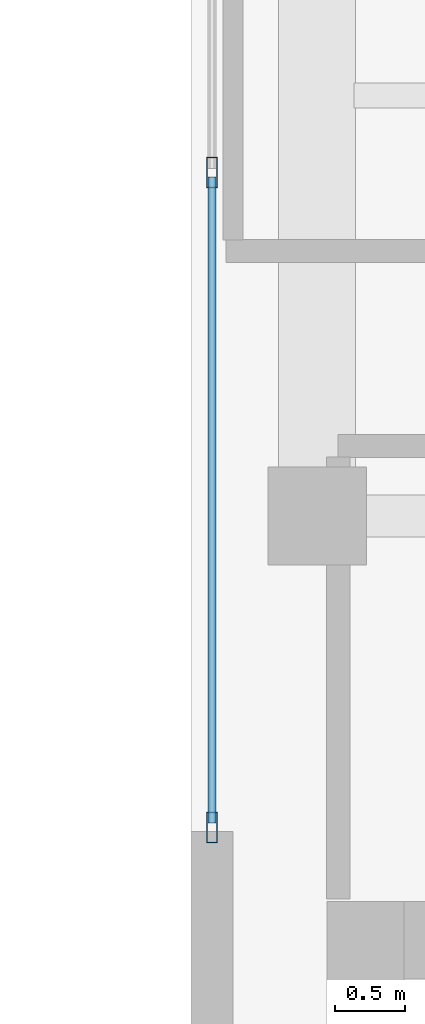
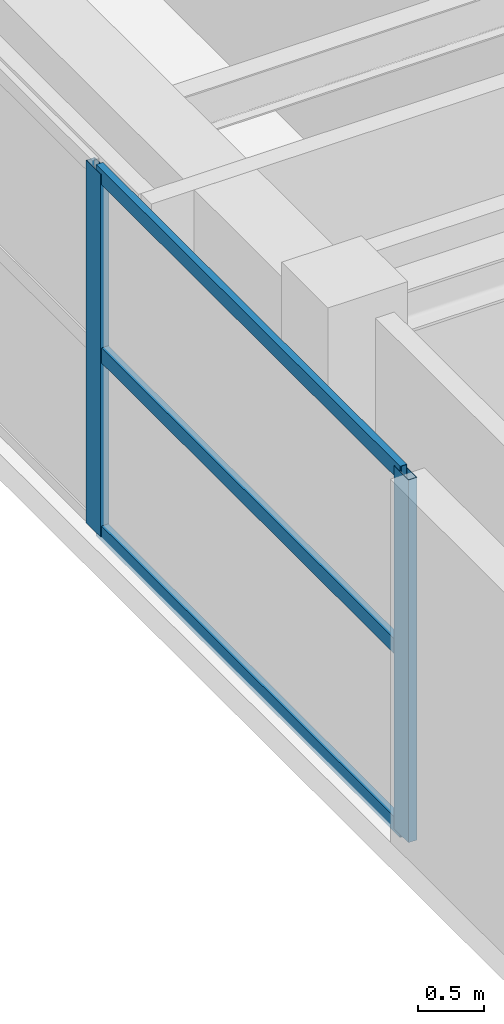
# One storey, part 10 of 22: 5 members, 1 element without a shape of its own.
"""IFC4 building model written with IfcOpenShell, lengths in metres."""

from ifc_helpers import new_model, si_unit, direction, frame, origin, origin_2d, place, context, subcontext, project, spatial, hollow_rectangle, extrude, source, transform, mapped, material, layer, layer_set, material_profile, profile_set, type_object, element, aggregate, save


model = new_model("IFC4")

# Units and contexts
model_context = context("Model", 3, precision=1e-05, world=origin(), true_north=direction((0.0, 1.0)))
body_context = subcontext(model_context, "Body", "Model", "MODEL_VIEW")
ifc_project = project(units=[si_unit("LENGTHUNIT", "METRE"), si_unit("AREAUNIT", "SQUARE_METRE"), si_unit("VOLUMEUNIT", "CUBIC_METRE"), si_unit("PLANEANGLEUNIT", "RADIAN"), si_unit("MASSUNIT", "GRAM", prefix="KILO")], contexts=[model_context])

# Site, building, storey
site_placement = place(None, origin())
site = spatial("IfcSite", under=ifc_project, at=site_placement, CompositionType="ELEMENT")
building_placement = place(site_placement, origin())
building = spatial("IfcBuilding", under=site, at=building_placement, Name="Khoralis Quay Care Tower", CompositionType="ELEMENT")
storey_placement = place(building_placement, frame((0.0, 0.0, 256.5)))
storey = spatial("IfcBuildingStorey", under=building, at=storey_placement, Name="L67", CompositionType="ELEMENT", Elevation=256.5)

# Curtain wall, members
ifc_material = material(Name="Pale anodised aluminium", Category="aluminium")
ifc_layer = layer(ifc_material, 0.18994140625)
ifc_layer_set = layer_set([ifc_layer], Name="Pale anodised aluminium")
curtain_wall_type = type_object("IfcCurtainWallType", Name="CW-SYS-PORTAL", PredefinedType="NOTDEFINED", material=ifc_layer_set)
curtain_wall_placement = place(storey_placement, origin())
curtain_wall = element("IfcCurtainWall", 1, at=curtain_wall_placement, inside=storey, type_object=curtain_wall_type, Name="L67 Unitised Curtain Wall CW-VP-L67-P2-N", PredefinedType="NOTDEFINED")
ifc_material_profile_1 = material_profile(ifc_material, hollow_rectangle(XDim=0.06005859375, YDim=0.139892578125, WallThickness=0.00390625, at=origin_2d()), Name="Pale anodised aluminium")
ifc_profile_set_1 = profile_set([ifc_material_profile_1], Name="Pale anodised aluminium")
member_type_1 = type_object("IfcMemberType", Name="CW-TRN-140", PredefinedType="USERDEFINED", material=ifc_profile_set_1)
shared_shape_1 = source(origin(), body_context, "Body", "SweptSolid", [
    extrude(hollow_rectangle(XDim=0.06005859375, YDim=0.139892578125, WallThickness=0.00390625, at=origin_2d()), origin(), (0.0, 0.0, 1.0), 4.60986328125),
])
member_1_placement = place(storey_placement, frame((30.14990234375, 27.81005859375, 0.030029296875), z_axis=(0.0, 1.0, 0.0), x_axis=(-1.0, 0.0, 0.0)))
member_1 = element("IfcMember", 2, at=member_1_placement, type_object=member_type_1, Name="CW4 transom 1.1", ObjectType="TRANSOM", PredefinedType="USERDEFINED", context=body_context, shape_type="MappedRepresentation", body=[
    mapped(shared_shape_1, transform((0.0, 0.0, 0.0), scale=1.0)),
])
member_2_placement = place(storey_placement, frame((30.14990234375, 27.81005859375, 1.679931640625), z_axis=(0.0, 1.0, 0.0), x_axis=(-1.0, 0.0, 0.0)))
member_2 = element("IfcMember", 3, at=member_2_placement, type_object=member_type_1, Name="CW4 transom 1.2", ObjectType="TRANSOM", PredefinedType="USERDEFINED", context=body_context, shape_type="MappedRepresentation", body=[
    mapped(shared_shape_1, transform((0.0, 0.0, 0.0), scale=1.0)),
])
member_3_placement = place(storey_placement, frame((30.14990234375, 27.81005859375, 3.330078125), z_axis=(0.0, 1.0, 0.0), x_axis=(-1.0, 0.0, 0.0)))
member_3 = element("IfcMember", 4, at=member_3_placement, type_object=member_type_1, Name="CW4 transom 1.3", ObjectType="TRANSOM", PredefinedType="USERDEFINED", context=body_context, shape_type="MappedRepresentation", body=[
    mapped(shared_shape_1, transform((0.0, 0.0, 0.0), scale=1.0)),
])
ifc_material_profile_2 = material_profile(ifc_material, hollow_rectangle(XDim=0.074951171875, YDim=0.219970703125, WallThickness=0.00390625, at=origin_2d()), Name="Pale anodised aluminium")
ifc_profile_set_2 = profile_set([ifc_material_profile_2], Name="Pale anodised aluminium")
member_type_2 = type_object("IfcMemberType", Name="CW-MUL-220", PredefinedType="MULLION", material=ifc_profile_set_2)
shared_shape_2 = source(origin(), body_context, "Body", "SweptSolid", [
    extrude(hollow_rectangle(XDim=0.074951171875, YDim=0.219970703125, WallThickness=0.00390625, at=origin_2d()), origin(), (0.0, 0.0, 1.0), 3.360107421875),
])
member_4_placement = place(storey_placement, frame((30.14990234375, 27.780029296875, 0.0), z_axis=(0.0, 0.0, 1.0), x_axis=(-1.0, 0.0, 0.0)))
member_4 = element("IfcMember", 5, at=member_4_placement, type_object=member_type_2, Name="CW4 mullion 1", PredefinedType="MULLION", context=body_context, shape_type="MappedRepresentation", body=[
    mapped(shared_shape_2, transform((0.0, 0.0, 0.0), scale=1.0)),
])
member_5_placement = place(storey_placement, frame((30.14990234375, 32.449951171875, 0.0), z_axis=(0.0, 0.0, 1.0), x_axis=(-1.0, 0.0, 0.0)))
member_5 = element("IfcMember", 6, at=member_5_placement, type_object=member_type_2, Name="CW4 mullion 2", PredefinedType="MULLION", context=body_context, shape_type="MappedRepresentation", body=[
    mapped(shared_shape_2, transform((0.0, 0.0, 0.0), scale=1.0)),
])
aggregate(curtain_wall, [member_4, member_5, member_1, member_2, member_3])

save(model, "model.ifc")
